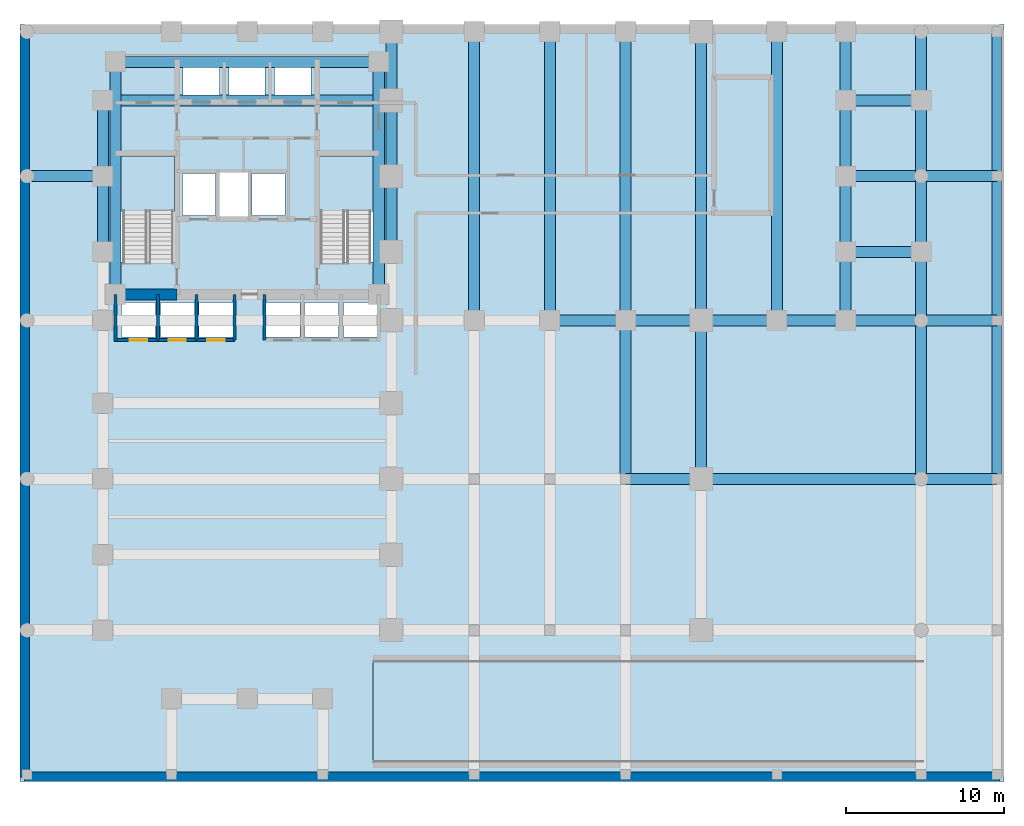
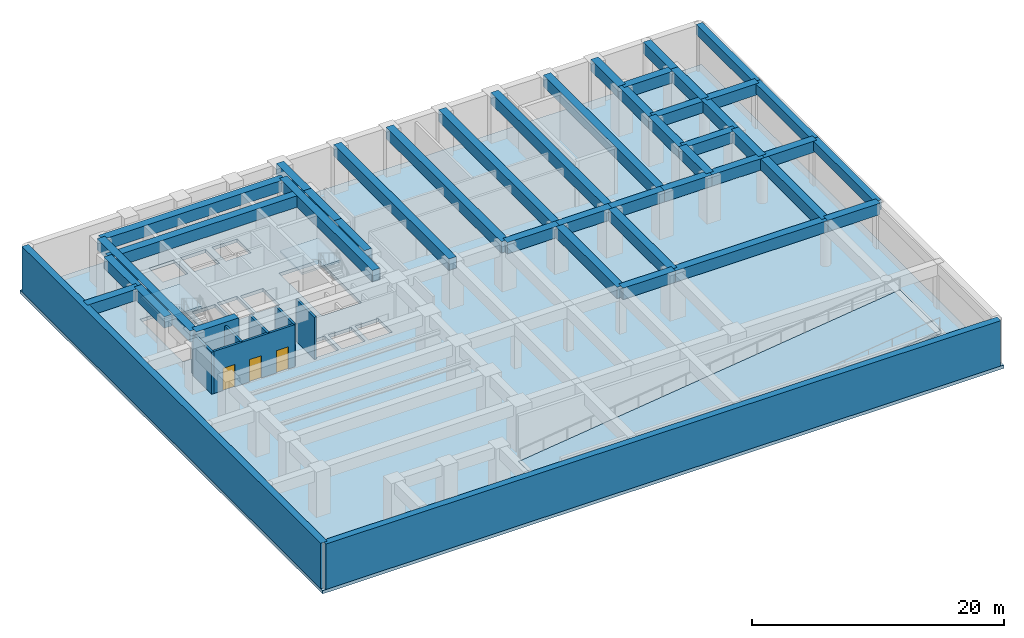
# One storey, part 2 of 6: 42 beams, 9 walls, 4 slabs, 3 doors, 3 openings, 2 elements without a shape of their own.
"""IFC4 building model written with IfcOpenShell, lengths in metres."""

from ifc_helpers import new_model, si_unit, direction, frame, frame_2d, origin, origin_2d, place, context, subcontext, project, spatial, polyline, rectangle, outline, extrude, material, layer, layer_set, material_profile, profile_set, type_object, element, fill, aggregate, save


model = new_model("IFC4")

# Units and contexts
model_context = context("Model", 3, precision=1e-05, world=origin(), true_north=direction((0.0, 1.0)))
body_context = subcontext(model_context, "Body", "Model", "MODEL_VIEW")
ifc_project = project(units=[si_unit("LENGTHUNIT", "METRE"), si_unit("AREAUNIT", "SQUARE_METRE"), si_unit("VOLUMEUNIT", "CUBIC_METRE"), si_unit("PLANEANGLEUNIT", "RADIAN"), si_unit("MASSUNIT", "GRAM", prefix="KILO")], contexts=[model_context])

# Site, building, storey
site_placement = place(None, origin())
site = spatial("IfcSite", under=ifc_project, at=site_placement, CompositionType="ELEMENT")
building_placement = place(site_placement, origin())
building = spatial("IfcBuilding", under=site, at=building_placement, Name="Orvandelia Arch Residences", CompositionType="ELEMENT")
storey_placement = place(building_placement, frame((0.0, 0.0, -8.800048828125)))
storey = spatial("IfcBuildingStorey", under=building, at=storey_placement, Name="B2", CompositionType="ELEMENT", Elevation=-8.800048828125)

# Beams
ifc_material_1 = material(Name="Concrete C50/60", Category="concrete")
ifc_material_profile_1 = material_profile(ifc_material_1, rectangle(XDim=0.60009765625, YDim=0.949951171875, at=origin_2d()), Name="Concrete C50/60", Category="concrete")
ifc_profile_set_1 = profile_set([ifc_material_profile_1], Name="Concrete C50/60")
beam_type_1 = type_object("IfcBeamType", Name="BM-RC-600x950", PredefinedType="BEAM", material=ifc_profile_set_1)
beam_1_placement = place(storey_placement, frame((61.949951171875, 19.199951171875, 3.925048828125), z_axis=(0.0, 1.0, 0.0), x_axis=(-1.0, 0.0, 0.0)))
element("IfcBeam", 1, at=beam_1_placement, inside=storey, type_object=beam_type_1, Name="Basement Perimeter Edge Beam B2-192", PredefinedType="BEAM", context=body_context, shape_type="SweptSolid", body=[
    extrude(rectangle(XDim=0.60009765625, YDim=0.949951171875, at=origin_2d()), origin(), (0.0, 0.0, 1.0), 10.050048828125),
])
beam_2_placement = place(storey_placement, frame((61.949951171875, 29.25, 3.925048828125), z_axis=(0.0, 1.0, 0.0), x_axis=(-1.0, 0.0, 0.0)))
element("IfcBeam", 2, at=beam_2_placement, inside=storey, type_object=beam_type_1, Name="Basement Perimeter Edge Beam B2-292", PredefinedType="BEAM", context=body_context, shape_type="SweptSolid", body=[
    extrude(rectangle(XDim=0.60009765625, YDim=0.949951171875, at=origin_2d()), origin(), (0.0, 0.0, 1.0), 9.14990234375),
])
beam_3_placement = place(storey_placement, frame((61.949951171875, 38.39990234375, 3.925048828125), z_axis=(0.0, 1.0, 0.0), x_axis=(-1.0, 0.0, 0.0)))
element("IfcBeam", 3, at=beam_3_placement, inside=storey, type_object=beam_type_1, Name="Basement Perimeter Edge Beam B2-384", PredefinedType="BEAM", context=body_context, shape_type="SweptSolid", body=[
    extrude(rectangle(XDim=0.60009765625, YDim=0.949951171875, at=origin_2d()), origin(), (0.0, 0.0, 1.0), 9.150146484375),
])
ifc_material_2 = material(Name="Concrete C60/75", Category="concrete")
ifc_material_profile_2 = material_profile(ifc_material_2, rectangle(XDim=0.699951171875, YDim=1.10009765625, at=origin_2d()), Name="Concrete C60/75", Category="concrete")
ifc_profile_set_2 = profile_set([ifc_material_profile_2], Name="Concrete C60/75")
beam_type_2 = type_object("IfcBeamType", Name="BM-RC-700x1100", PredefinedType="BEAM", material=ifc_profile_set_2)
beam_4_placement = place(storey_placement, frame((5.25, 33.60009765625, 3.85009765625), z_axis=(0.0, 1.0, 0.0), x_axis=(-1.0, 0.0, 0.0)))
element("IfcBeam", 4, at=beam_4_placement, inside=storey, type_object=beam_type_2, Name="Structural Frame Beam B2-NS-006", PredefinedType="BEAM", context=body_context, shape_type="SweptSolid", body=[
    extrude(rectangle(XDim=0.699951171875, YDim=1.10009765625, at=origin_2d()), origin(), (0.0, 0.0, 1.0), 4.7998046875),
])
beam_5_placement = place(storey_placement, frame((5.25, 38.39990234375, 3.85009765625), z_axis=(0.0, 1.0, 0.0), x_axis=(-1.0, 0.0, 0.0)))
element("IfcBeam", 5, at=beam_5_placement, inside=storey, type_object=beam_type_2, Name="Structural Frame Beam B2-NS-007", PredefinedType="BEAM", context=body_context, shape_type="SweptSolid", body=[
    extrude(rectangle(XDim=0.699951171875, YDim=1.10009765625, at=origin_2d()), origin(), (0.0, 0.0, 1.0), 4.800048828125),
])
for number, where, z_axis, x_axis, name in (
    (6, (6.050048828125, 30.89990234375, 3.85009765625), (0.0, 1.0, 0.0), (-1.0, 0.0, 0.0), "Structural Frame Beam B2-NS-008"),
    (7, (22.75, 30.89990234375, 3.85009765625), (0.0, 1.0, 0.0), (-1.0, 0.0, 0.0), "Structural Frame Beam B2-NS-011"),
):
    element("IfcBeam", number, at=place(storey_placement, frame(where, z_axis=z_axis, x_axis=x_axis)), inside=storey, type_object=beam_type_2, Name=name, PredefinedType="BEAM", context=body_context, shape_type="SweptSolid", body=[
        extrude(rectangle(XDim=0.699951171875, YDim=1.10009765625, at=origin_2d()), origin(), (0.0, 0.0, 1.0), 14.75),
    ])
beam_6_placement = place(storey_placement, frame((23.550048828125, 33.60009765625, 3.85009765625), z_axis=(0.0, 1.0, 0.0), x_axis=(-1.0, 0.0, 0.0)))
element("IfcBeam", 8, at=beam_6_placement, inside=storey, type_object=beam_type_2, Name="Structural Frame Beam B2-NS-017", PredefinedType="BEAM", context=body_context, shape_type="SweptSolid", body=[
    extrude(rectangle(XDim=0.699951171875, YDim=1.10009765625, at=origin_2d()), origin(), (0.0, 0.0, 1.0), 4.7998046875),
])
beam_7_placement = place(storey_placement, frame((23.550048828125, 38.39990234375, 3.85009765625), z_axis=(0.0, 1.0, 0.0), x_axis=(-1.0, 0.0, 0.0)))
element("IfcBeam", 9, at=beam_7_placement, inside=storey, type_object=beam_type_2, Name="Structural Frame Beam B2-NS-018", PredefinedType="BEAM", context=body_context, shape_type="SweptSolid", body=[
    extrude(rectangle(XDim=0.699951171875, YDim=1.10009765625, at=origin_2d()), origin(), (0.0, 0.0, 1.0), 4.800048828125),
])
beam_8_placement = place(storey_placement, frame((23.550048828125, 43.199951171875, 3.85009765625), z_axis=(0.0, 1.0, 0.0), x_axis=(-1.0, 0.0, 0.0)))
element("IfcBeam", 10, at=beam_8_placement, inside=storey, type_object=beam_type_2, Name="Structural Frame Beam B2-NS-019", PredefinedType="BEAM", context=body_context, shape_type="SweptSolid", body=[
    extrude(rectangle(XDim=0.699951171875, YDim=1.10009765625, at=origin_2d()), origin(), (0.0, 0.0, 1.0), 4.35009765625),
])
for number, where, z_axis, x_axis, name in (
    (11, (28.800048828125, 29.25, 3.85009765625), (0.0, 1.0, 0.0), (-1.0, 0.0, 0.0), "Structural Frame Beam B2-NS-023"),
    (12, (33.60009765625, 29.25, 3.85009765625), (0.0, 1.0, 0.0), (-1.0, 0.0, 0.0), "Structural Frame Beam B2-NS-026"),
):
    element("IfcBeam", number, at=place(storey_placement, frame(where, z_axis=z_axis, x_axis=x_axis)), inside=storey, type_object=beam_type_2, Name=name, PredefinedType="BEAM", context=body_context, shape_type="SweptSolid", body=[
        extrude(rectangle(XDim=0.699951171875, YDim=1.10009765625, at=origin_2d()), origin(), (0.0, 0.0, 1.0), 18.300048828125),
    ])
beam_9_placement = place(storey_placement, frame((38.39990234375, 19.199951171875, 3.85009765625), z_axis=(0.0, 1.0, 0.0), x_axis=(-1.0, 0.0, 0.0)))
element("IfcBeam", 13, at=beam_9_placement, inside=storey, type_object=beam_type_2, Name="Structural Frame Beam B2-NS-029", PredefinedType="BEAM", context=body_context, shape_type="SweptSolid", body=[
    extrude(rectangle(XDim=0.699951171875, YDim=1.10009765625, at=origin_2d()), origin(), (0.0, 0.0, 1.0), 10.050048828125),
])
beam_10_placement = place(storey_placement, frame((38.39990234375, 29.25, 3.85009765625), z_axis=(0.0, 1.0, 0.0), x_axis=(-1.0, 0.0, 0.0)))
element("IfcBeam", 14, at=beam_10_placement, inside=storey, type_object=beam_type_2, Name="Structural Frame Beam B2-NS-030", PredefinedType="BEAM", context=body_context, shape_type="SweptSolid", body=[
    extrude(rectangle(XDim=0.699951171875, YDim=1.10009765625, at=origin_2d()), origin(), (0.0, 0.0, 1.0), 18.300048828125),
])
beam_11_placement = place(storey_placement, frame((43.199951171875, 19.199951171875, 3.85009765625), z_axis=(0.0, 1.0, 0.0), x_axis=(-1.0, 0.0, 0.0)))
element("IfcBeam", 15, at=beam_11_placement, inside=storey, type_object=beam_type_2, Name="Structural Frame Beam B2-NS-032", PredefinedType="BEAM", context=body_context, shape_type="SweptSolid", body=[
    extrude(rectangle(XDim=0.699951171875, YDim=1.10009765625, at=origin_2d()), origin(), (0.0, 0.0, 1.0), 10.050048828125),
])
for number, where, z_axis, x_axis, name in (
    (16, (43.199951171875, 29.25, 3.85009765625), (0.0, 1.0, 0.0), (-1.0, 0.0, 0.0), "Structural Frame Beam B2-NS-033"),
    (17, (48.0, 29.25, 3.85009765625), (0.0, 1.0, 0.0), (-1.0, 0.0, 0.0), "Structural Frame Beam B2-NS-034"),
):
    element("IfcBeam", number, at=place(storey_placement, frame(where, z_axis=z_axis, x_axis=x_axis)), inside=storey, type_object=beam_type_2, Name=name, PredefinedType="BEAM", context=body_context, shape_type="SweptSolid", body=[
        extrude(rectangle(XDim=0.699951171875, YDim=1.10009765625, at=origin_2d()), origin(), (0.0, 0.0, 1.0), 18.300048828125),
    ])
beam_12_placement = place(storey_placement, frame((52.35009765625, 29.25, 3.85009765625), z_axis=(0.0, 1.0, 0.0), x_axis=(-1.0, 0.0, 0.0)))
element("IfcBeam", 18, at=beam_12_placement, inside=storey, type_object=beam_type_2, Name="Structural Frame Beam B2-NS-035", PredefinedType="BEAM", context=body_context, shape_type="SweptSolid", body=[
    extrude(rectangle(XDim=0.699951171875, YDim=1.10009765625, at=origin_2d()), origin(), (0.0, 0.0, 1.0), 4.35009765625),
])
beam_13_placement = place(storey_placement, frame((52.35009765625, 33.60009765625, 3.85009765625), z_axis=(0.0, 1.0, 0.0), x_axis=(-1.0, 0.0, 0.0)))
element("IfcBeam", 19, at=beam_13_placement, inside=storey, type_object=beam_type_2, Name="Structural Frame Beam B2-NS-036", PredefinedType="BEAM", context=body_context, shape_type="SweptSolid", body=[
    extrude(rectangle(XDim=0.699951171875, YDim=1.10009765625, at=origin_2d()), origin(), (0.0, 0.0, 1.0), 4.7998046875),
])
beam_14_placement = place(storey_placement, frame((52.35009765625, 38.39990234375, 3.85009765625), z_axis=(0.0, 1.0, 0.0), x_axis=(-1.0, 0.0, 0.0)))
element("IfcBeam", 20, at=beam_14_placement, inside=storey, type_object=beam_type_2, Name="Structural Frame Beam B2-NS-037", PredefinedType="BEAM", context=body_context, shape_type="SweptSolid", body=[
    extrude(rectangle(XDim=0.699951171875, YDim=1.10009765625, at=origin_2d()), origin(), (0.0, 0.0, 1.0), 4.800048828125),
])
beam_15_placement = place(storey_placement, frame((52.35009765625, 43.199951171875, 3.85009765625), z_axis=(0.0, 1.0, 0.0), x_axis=(-1.0, 0.0, 0.0)))
element("IfcBeam", 21, at=beam_15_placement, inside=storey, type_object=beam_type_2, Name="Structural Frame Beam B2-NS-038", PredefinedType="BEAM", context=body_context, shape_type="SweptSolid", body=[
    extrude(rectangle(XDim=0.699951171875, YDim=1.10009765625, at=origin_2d()), origin(), (0.0, 0.0, 1.0), 4.35009765625),
])
beam_16_placement = place(storey_placement, frame((57.14990234375, 19.199951171875, 3.85009765625), z_axis=(0.0, 1.0, 0.0), x_axis=(-1.0, 0.0, 0.0)))
element("IfcBeam", 22, at=beam_16_placement, inside=storey, type_object=beam_type_2, Name="Structural Frame Beam B2-NS-041", PredefinedType="BEAM", context=body_context, shape_type="SweptSolid", body=[
    extrude(rectangle(XDim=0.699951171875, YDim=1.10009765625, at=origin_2d()), origin(), (0.0, 0.0, 1.0), 10.050048828125),
])
beam_17_placement = place(storey_placement, frame((57.14990234375, 29.25, 3.85009765625), z_axis=(0.0, 1.0, 0.0), x_axis=(-1.0, 0.0, 0.0)))
element("IfcBeam", 23, at=beam_17_placement, inside=storey, type_object=beam_type_2, Name="Structural Frame Beam B2-NS-042", PredefinedType="BEAM", context=body_context, shape_type="SweptSolid", body=[
    extrude(rectangle(XDim=0.699951171875, YDim=1.10009765625, at=origin_2d()), origin(), (0.0, 0.0, 1.0), 4.35009765625),
])
beam_18_placement = place(storey_placement, frame((57.14990234375, 33.60009765625, 3.85009765625), z_axis=(0.0, 1.0, 0.0), x_axis=(-1.0, 0.0, 0.0)))
element("IfcBeam", 24, at=beam_18_placement, inside=storey, type_object=beam_type_2, Name="Structural Frame Beam B2-NS-043", PredefinedType="BEAM", context=body_context, shape_type="SweptSolid", body=[
    extrude(rectangle(XDim=0.699951171875, YDim=1.10009765625, at=origin_2d()), origin(), (0.0, 0.0, 1.0), 4.7998046875),
])
beam_19_placement = place(storey_placement, frame((57.14990234375, 38.39990234375, 3.85009765625), z_axis=(0.0, 1.0, 0.0), x_axis=(-1.0, 0.0, 0.0)))
element("IfcBeam", 25, at=beam_19_placement, inside=storey, type_object=beam_type_2, Name="Structural Frame Beam B2-NS-044", PredefinedType="BEAM", context=body_context, shape_type="SweptSolid", body=[
    extrude(rectangle(XDim=0.699951171875, YDim=1.10009765625, at=origin_2d()), origin(), (0.0, 0.0, 1.0), 4.800048828125),
])
beam_20_placement = place(storey_placement, frame((57.14990234375, 43.199951171875, 3.85009765625), z_axis=(0.0, 1.0, 0.0), x_axis=(-1.0, 0.0, 0.0)))
element("IfcBeam", 26, at=beam_20_placement, inside=storey, type_object=beam_type_2, Name="Structural Frame Beam B2-NS-045", PredefinedType="BEAM", context=body_context, shape_type="SweptSolid", body=[
    extrude(rectangle(XDim=0.699951171875, YDim=1.10009765625, at=origin_2d()), origin(), (0.0, 0.0, 1.0), 4.35009765625),
])
beam_21_placement = place(storey_placement, frame((38.39990234375, 19.199951171875, 3.85009765625), z_axis=(1.0, 0.0, 0.0), x_axis=(0.0, 1.0, 0.0)))
element("IfcBeam", 27, at=beam_21_placement, inside=storey, type_object=beam_type_2, Name="Structural Frame Girder B2-EW-062", PredefinedType="BEAM", context=body_context, shape_type="SweptSolid", body=[
    extrude(rectangle(XDim=0.699951171875, YDim=1.10009765625, at=origin_2d()), origin(), (0.0, 0.0, 1.0), 4.800048828125),
])
beam_22_placement = place(storey_placement, frame((43.199951171875, 19.199951171875, 3.85009765625), z_axis=(1.0, 0.0, 0.0), x_axis=(0.0, 1.0, 0.0)))
element("IfcBeam", 28, at=beam_22_placement, inside=storey, type_object=beam_type_2, Name="Structural Frame Girder B2-EW-063", PredefinedType="BEAM", context=body_context, shape_type="SweptSolid", body=[
    extrude(rectangle(XDim=0.699951171875, YDim=1.10009765625, at=origin_2d()), origin(), (0.0, 0.0, 1.0), 13.949951171875),
])
beam_23_placement = place(storey_placement, frame((57.14990234375, 19.199951171875, 3.85009765625), z_axis=(1.0, 0.0, 0.0), x_axis=(0.0, 1.0, 0.0)))
element("IfcBeam", 29, at=beam_23_placement, inside=storey, type_object=beam_type_2, Name="Structural Frame Girder B2-EW-064", PredefinedType="BEAM", context=body_context, shape_type="SweptSolid", body=[
    extrude(rectangle(XDim=0.699951171875, YDim=1.10009765625, at=origin_2d()), origin(), (0.0, 0.0, 1.0), 4.800048828125),
])
beam_24_placement = place(storey_placement, frame((33.60009765625, 29.25, 3.85009765625), z_axis=(1.0, 0.0, 0.0), x_axis=(0.0, 1.0, 0.0)))
element("IfcBeam", 30, at=beam_24_placement, inside=storey, type_object=beam_type_2, Name="Structural Frame Girder B2-EW-070", PredefinedType="BEAM", context=body_context, shape_type="SweptSolid", body=[
    extrude(rectangle(XDim=0.699951171875, YDim=1.10009765625, at=origin_2d()), origin(), (0.0, 0.0, 1.0), 4.7998046875),
])
for number, where, z_axis, x_axis, name in (
    (31, (38.39990234375, 29.25, 3.85009765625), (1.0, 0.0, 0.0), (0.0, 1.0, 0.0), "Structural Frame Girder B2-EW-071"),
    (32, (43.199951171875, 29.25, 3.85009765625), (1.0, 0.0, 0.0), (0.0, 1.0, 0.0), "Structural Frame Girder B2-EW-072"),
):
    element("IfcBeam", number, at=place(storey_placement, frame(where, z_axis=z_axis, x_axis=x_axis)), inside=storey, type_object=beam_type_2, Name=name, PredefinedType="BEAM", context=body_context, shape_type="SweptSolid", body=[
        extrude(rectangle(XDim=0.699951171875, YDim=1.10009765625, at=origin_2d()), origin(), (0.0, 0.0, 1.0), 4.800048828125),
    ])
beam_25_placement = place(storey_placement, frame((48.0, 29.25, 3.85009765625), z_axis=(1.0, 0.0, 0.0), x_axis=(0.0, 1.0, 0.0)))
element("IfcBeam", 33, at=beam_25_placement, inside=storey, type_object=beam_type_2, Name="Structural Frame Girder B2-EW-073", PredefinedType="BEAM", context=body_context, shape_type="SweptSolid", body=[
    extrude(rectangle(XDim=0.699951171875, YDim=1.10009765625, at=origin_2d()), origin(), (0.0, 0.0, 1.0), 4.35009765625),
])
beam_26_placement = place(storey_placement, frame((52.35009765625, 29.25, 3.85009765625), z_axis=(1.0, 0.0, 0.0), x_axis=(0.0, 1.0, 0.0)))
element("IfcBeam", 34, at=beam_26_placement, inside=storey, type_object=beam_type_2, Name="Structural Frame Girder B2-EW-074", PredefinedType="BEAM", context=body_context, shape_type="SweptSolid", body=[
    extrude(rectangle(XDim=0.699951171875, YDim=1.10009765625, at=origin_2d()), origin(), (0.0, 0.0, 1.0), 4.7998046875),
])
beam_27_placement = place(storey_placement, frame((57.14990234375, 29.25, 3.85009765625), z_axis=(1.0, 0.0, 0.0), x_axis=(0.0, 1.0, 0.0)))
element("IfcBeam", 35, at=beam_27_placement, inside=storey, type_object=beam_type_2, Name="Structural Frame Girder B2-EW-075", PredefinedType="BEAM", context=body_context, shape_type="SweptSolid", body=[
    extrude(rectangle(XDim=0.699951171875, YDim=1.10009765625, at=origin_2d()), origin(), (0.0, 0.0, 1.0), 4.800048828125),
])
beam_28_placement = place(storey_placement, frame((52.35009765625, 33.60009765625, 3.85009765625), z_axis=(1.0, 0.0, 0.0), x_axis=(0.0, 1.0, 0.0)))
element("IfcBeam", 36, at=beam_28_placement, inside=storey, type_object=beam_type_2, Name="Structural Frame Girder B2-EW-078", PredefinedType="BEAM", context=body_context, shape_type="SweptSolid", body=[
    extrude(rectangle(XDim=0.699951171875, YDim=1.10009765625, at=origin_2d()), origin(), (0.0, 0.0, 1.0), 4.7998046875),
])
beam_29_placement = place(storey_placement, frame((0.449951171875, 38.39990234375, 3.85009765625), z_axis=(1.0, 0.0, 0.0), x_axis=(0.0, 1.0, 0.0)))
element("IfcBeam", 37, at=beam_29_placement, inside=storey, type_object=beam_type_2, Name="Structural Frame Girder B2-EW-079", PredefinedType="BEAM", context=body_context, shape_type="SweptSolid", body=[
    extrude(rectangle(XDim=0.699951171875, YDim=1.10009765625, at=origin_2d()), origin(), (0.0, 0.0, 1.0), 4.800048828125),
])
beam_30_placement = place(storey_placement, frame((52.35009765625, 38.39990234375, 3.85009765625), z_axis=(1.0, 0.0, 0.0), x_axis=(0.0, 1.0, 0.0)))
element("IfcBeam", 38, at=beam_30_placement, inside=storey, type_object=beam_type_2, Name="Structural Frame Girder B2-EW-081", PredefinedType="BEAM", context=body_context, shape_type="SweptSolid", body=[
    extrude(rectangle(XDim=0.699951171875, YDim=1.10009765625, at=origin_2d()), origin(), (0.0, 0.0, 1.0), 4.7998046875),
])
beam_31_placement = place(storey_placement, frame((57.14990234375, 38.39990234375, 3.85009765625), z_axis=(1.0, 0.0, 0.0), x_axis=(0.0, 1.0, 0.0)))
element("IfcBeam", 39, at=beam_31_placement, inside=storey, type_object=beam_type_2, Name="Structural Frame Girder B2-EW-082", PredefinedType="BEAM", context=body_context, shape_type="SweptSolid", body=[
    extrude(rectangle(XDim=0.699951171875, YDim=1.10009765625, at=origin_2d()), origin(), (0.0, 0.0, 1.0), 4.800048828125),
])
beam_32_placement = place(storey_placement, frame((5.25, 43.199951171875, 3.85009765625), z_axis=(1.0, 0.0, 0.0), x_axis=(0.0, 1.0, 0.0)))
element("IfcBeam", 40, at=beam_32_placement, inside=storey, type_object=beam_type_2, Name="Structural Frame Girder B2-EW-083", PredefinedType="BEAM", context=body_context, shape_type="SweptSolid", body=[
    extrude(rectangle(XDim=0.699951171875, YDim=1.10009765625, at=origin_2d()), origin(), (0.0, 0.0, 1.0), 18.300048828125),
])
beam_33_placement = place(storey_placement, frame((52.35009765625, 43.199951171875, 3.85009765625), z_axis=(1.0, 0.0, 0.0), x_axis=(0.0, 1.0, 0.0)))
element("IfcBeam", 41, at=beam_33_placement, inside=storey, type_object=beam_type_2, Name="Structural Frame Girder B2-EW-084", PredefinedType="BEAM", context=body_context, shape_type="SweptSolid", body=[
    extrude(rectangle(XDim=0.699951171875, YDim=1.10009765625, at=origin_2d()), origin(), (0.0, 0.0, 1.0), 4.7998046875),
])
beam_34_placement = place(storey_placement, frame((6.050048828125, 45.64990234375, 3.85009765625), z_axis=(1.0, 0.0, 0.0), x_axis=(0.0, 1.0, 0.0)))
element("IfcBeam", 42, at=beam_34_placement, inside=storey, type_object=beam_type_2, Name="Structural Frame Girder B2-EW-085", PredefinedType="BEAM", context=body_context, shape_type="SweptSolid", body=[
    extrude(rectangle(XDim=0.699951171875, YDim=1.10009765625, at=origin_2d()), origin(), (0.0, 0.0, 1.0), 16.699951171875),
])

# Slab
ifc_material_3 = material(Name="Concrete C40/50", Category="concrete")
ifc_layer_1 = layer(ifc_material_3, 0.320068359375, Name="Concrete C40/50", Category="concrete")
ifc_layer_set_1 = layer_set([ifc_layer_1], Name="Concrete C40/50")
slab_type_1 = type_object("IfcSlabType", Name="SLB-BSM-320", PredefinedType="FLOOR", material=ifc_layer_set_1)
slab_1_placement = place(storey_placement, frame((0.0, 0.0, -0.320068359375)))
element("IfcSlab", 43, at=slab_1_placement, inside=storey, type_object=slab_type_1, Name="Structural Floor Slab B2-1", PredefinedType="FLOOR", context=body_context, shape_type="SweptSolid", body=[
    extrude(outline(polyline([(0.0, 0.0), (62.39990234375, 0.0), (62.39990234375, 48.0), (0.0, 48.0), (0.0, 0.0)]), holes=[polyline([(6.219970703125, 32.949951171875), (9.840087890625, 32.949951171875), (9.840087890625, 39.72998046875), (6.219970703125, 39.72998046875), (6.219970703125, 32.949951171875)]), polyline([(18.9599609375, 32.949951171875), (22.580078125, 32.949951171875), (22.580078125, 39.72998046875), (18.9599609375, 39.72998046875), (18.9599609375, 32.949951171875)]), polyline([(12.639892578125, 35.81005859375), (14.4599609375, 35.81005859375), (14.4599609375, 38.639892578125), (12.639892578125, 38.639892578125), (12.639892578125, 35.81005859375)]), polyline([(10.300048828125, 35.89990234375), (12.39990234375, 35.89990234375), (12.39990234375, 38.550048828125), (10.300048828125, 38.550048828125), (10.300048828125, 35.89990234375)]), polyline([(14.699951171875, 35.89990234375), (16.800048828125, 35.89990234375), (16.800048828125, 38.550048828125), (14.699951171875, 38.550048828125), (14.699951171875, 35.89990234375)]), polyline([(10.35009765625, 43.300048828125), (12.64990234375, 43.300048828125), (12.64990234375, 45.5), (10.35009765625, 45.5), (10.35009765625, 43.300048828125)]), polyline([(13.25, 43.300048828125), (15.550048828125, 43.300048828125), (15.550048828125, 45.5), (13.25, 45.5), (13.25, 43.300048828125)]), polyline([(16.14990234375, 43.300048828125), (18.449951171875, 43.300048828125), (18.449951171875, 45.5), (16.14990234375, 45.5), (16.14990234375, 43.300048828125)]), polyline([(6.449951171875, 28.199951171875), (8.60009765625, 28.199951171875), (8.60009765625, 30.39990234375), (6.449951171875, 30.39990234375), (6.449951171875, 28.199951171875)]), polyline([(8.89990234375, 28.199951171875), (11.050048828125, 28.199951171875), (11.050048828125, 30.39990234375), (8.89990234375, 30.39990234375), (8.89990234375, 28.199951171875)]), polyline([(11.35009765625, 28.199951171875), (13.5, 28.199951171875), (13.5, 30.39990234375), (11.35009765625, 30.39990234375), (11.35009765625, 28.199951171875)]), polyline([(15.60009765625, 28.199951171875), (17.75, 28.199951171875), (17.75, 30.39990234375), (15.60009765625, 30.39990234375), (15.60009765625, 28.199951171875)]), polyline([(18.050048828125, 28.199951171875), (20.199951171875, 28.199951171875), (20.199951171875, 30.39990234375), (18.050048828125, 30.39990234375), (18.050048828125, 28.199951171875)]), polyline([(20.5, 28.199951171875), (22.64990234375, 28.199951171875), (22.64990234375, 30.39990234375), (20.5, 30.39990234375), (20.5, 28.199951171875)]), polyline([(22.3798828125, 1.179931640625), (57.320068359375, 1.179931640625), (57.320068359375, 7.719970703125), (22.3798828125, 7.719970703125), (22.3798828125, 1.179931640625)])]), origin(), (0.0, 0.0, 1.0), 0.320068359375),
])

# Stair, slab
stair_type = type_object("IfcStairType", Name="STAIR-RC-DOGLEG", PredefinedType="HALF_TURN_STAIR", material=ifc_material_3)
stair_1_placement = place(storey_placement, origin())
stair_1 = element("IfcStair", 44, at=stair_1_placement, inside=storey, type_object=stair_type, Name="B2 Protected Exit Stair ST-1", PredefinedType="HALF_TURN_STAIR")
ifc_layer_2 = layer(ifc_material_3, 0.219970703125, Name="Concrete C40/50", Category="concrete")
ifc_layer_set_2 = layer_set([ifc_layer_2], Name="Concrete C40/50")
slab_type_2 = type_object("IfcSlabType", Name="SLB-LANDING-220", PredefinedType="LANDING", material=ifc_layer_set_2)
slab_2_placement = place(storey_placement, frame((0.0, 0.0, 2.0)))
slab_2 = element("IfcSlab", 45, at=slab_2_placement, type_object=slab_type_2, Name="ST-1 landing 1", PredefinedType="LANDING", context=body_context, shape_type="SweptSolid", body=[
    extrude(outline(polyline([(9.800048828125, 36.14990234375), (9.800048828125, 39.68994140625), (6.260009765625, 39.68994140625), (6.260009765625, 36.14990234375), (9.800048828125, 36.14990234375)])), origin(), (0.0, 0.0, 1.0), 0.199951171875),
])
aggregate(stair_1, [slab_2])

stair_2_placement = place(storey_placement, origin())
stair_2 = element("IfcStair", 46, at=stair_2_placement, inside=storey, type_object=stair_type, Name="B2 Protected Exit Stair ST-2", PredefinedType="HALF_TURN_STAIR")
slab_3_placement = place(storey_placement, frame((0.0, 0.0, 2.0)))
slab_3 = element("IfcSlab", 47, at=slab_3_placement, type_object=slab_type_2, Name="ST-2 landing 1", PredefinedType="LANDING", context=body_context, shape_type="SweptSolid", body=[
    extrude(outline(polyline([(22.5400390625, 36.14990234375), (22.5400390625, 39.68994140625), (19.0, 39.68994140625), (19.0, 36.14990234375), (22.5400390625, 36.14990234375)])), origin(), (0.0, 0.0, 1.0), 0.199951171875),
])
aggregate(stair_2, [slab_3])

# Slab
ifc_layer_3 = layer(ifc_material_3, 0.300048828125, Name="Concrete C40/50", Category="concrete")
ifc_layer_set_3 = layer_set([ifc_layer_3], Name="Concrete C40/50")
slab_type_3 = type_object("IfcSlabType", Name="SLB-RAMP-300", PredefinedType="USERDEFINED", material=ifc_layer_set_3)
slab_4_placement = place(storey_placement, frame((22.39990234375, 1.199951171875, 0.0), z_axis=(-0.125087906179, 0.0, 0.992145662555), x_axis=(0.992145662555, 0.0, 0.125087906179)))
element("IfcSlab", 48, at=slab_4_placement, inside=storey, type_object=slab_type_3, Name="Car Park Vehicle Ramp Flight B2", ObjectType="RAMP", PredefinedType="USERDEFINED", context=body_context, shape_type="SweptSolid", body=[
    extrude(outline(polyline([(0.0, 0.0), (35.176434067636684, 0.0), (35.176434067636684, 6.5), (0.0, 6.5), (0.0, 0.0)])), origin(), (0.0, 0.0, -1.0), 0.300048828125),
])

# Walls
ifc_material_4 = material(Name="Concrete C80/95", Category="concrete")
ifc_layer_4 = layer(ifc_material_4, 0.699951171875, Name="Concrete C80/95", Category="concrete")
ifc_layer_set_4 = layer_set([ifc_layer_4], Name="Concrete C80/95")
wall_type_1 = type_object("IfcWallType", Name="WL-CORE-700", PredefinedType="SHEAR", material=ifc_layer_set_4)
wall_1_placement = place(storey_placement, frame((6.050048828125, 30.89990234375, 0.0), z_axis=(0.0, 0.0, 1.0), x_axis=(1.0, 0.0, 0.0)))
element("IfcWall", 49, at=wall_1_placement, inside=storey, type_object=wall_type_1, Name="Core Shear Wall B2-SW", PredefinedType="SHEAR", context=body_context, shape_type="SweptSolid", body=[
    extrude(rectangle(XDim=3.909912109375, YDim=0.699951171875, at=frame_2d((1.955078125, 0.0))), origin(), (0.0, 0.0, 1.0), 4.400146484375),
])
ifc_layer_5 = layer(ifc_material_1, 0.60009765625, Name="Concrete C50/60", Category="concrete")
ifc_layer_set_5 = layer_set([ifc_layer_5], Name="Concrete C50/60")
wall_type_2 = type_object("IfcWallType", Name="WL-RET-600", PredefinedType="USERDEFINED", material=ifc_layer_set_5)
wall_2_placement = place(storey_placement, frame((0.300048828125, 0.300048828125, 0.0), z_axis=(0.0, 0.0, 1.0), x_axis=(1.0, 0.0, 0.0)))
element("IfcWall", 50, at=wall_2_placement, inside=storey, type_object=wall_type_2, Name="Basement Diaphragm Retaining Wall B2-S", ObjectType="RETAININGWALL", PredefinedType="USERDEFINED", context=body_context, shape_type="SweptSolid", body=[
    extrude(rectangle(XDim=61.800048828125, YDim=0.60009765625, at=frame_2d((30.89990234375, 0.0))), origin(), (0.0, 0.0, 1.0), 4.400146484375),
])
wall_3_placement = place(storey_placement, frame((0.300048828125, 47.699951171875, 0.0), z_axis=(0.0, 0.0, 1.0), x_axis=(0.0, -1.0, 0.0)))
element("IfcWall", 51, at=wall_3_placement, inside=storey, type_object=wall_type_2, Name="Basement Diaphragm Retaining Wall B2-W", ObjectType="RETAININGWALL", PredefinedType="USERDEFINED", context=body_context, shape_type="SweptSolid", body=[
    extrude(rectangle(XDim=47.39990234375, YDim=0.60009765625, at=frame_2d((23.699951171875, 0.0))), origin(), (0.0, 0.0, 1.0), 4.400146484375),
])

# Wall, openings, doors
ifc_material_5 = material(Name="Fire-Rated Shaft Enclosure Wall")
ifc_layer_6 = layer(ifc_material_5, 0.199951171875, Name="Fire-Rated Shaft Enclosure Wall")
ifc_layer_set_6 = layer_set([ifc_layer_6], Name="Fire-Rated Shaft Enclosure Wall")
wall_type_3 = type_object("IfcWallType", Name="WL-SHAFT-200", PredefinedType="POLYGONAL", material=ifc_layer_set_6)
wall_4_placement = place(storey_placement, frame((6.050048828125, 28.0, 0.0), z_axis=(0.0, 0.0, 1.0), x_axis=(1.0, 0.0, 0.0)))
wall_4 = element("IfcWall", 52, at=wall_4_placement, inside=storey, type_object=wall_type_3, Name="Interior Partition Wall WL-B2-BNKL-S", PredefinedType="POLYGONAL", context=body_context, shape_type="SweptSolid", body=[
    extrude(rectangle(XDim=7.550048828125, YDim=0.199951171875, at=frame_2d((3.77490234375, 0.0))), origin(), (0.0, 0.0, 1.0), 4.080078125),
])
opening_1_placement = place(wall_4_placement, frame((0.925048828125, 0.0, 0.0)))
opening_1 = element("IfcOpeningElement", 53, at=opening_1_placement, cuts=wall_4, Name="Opening LD", PredefinedType="OPENING", context=body_context, shape_type="SweptSolid", body=[
    extrude(rectangle(XDim=1.10009765625, YDim=2.14990234375, at=frame_2d((0.550048828125, 1.074951171875))), frame((0.0, 0.10986328125, 0.0), z_axis=(0.0, -1.0, 0.0), x_axis=(1.0, 0.0, 0.0)), (0.0, 0.0, 1.0), 0.219970703125),
])
opening_2_placement = place(wall_4_placement, frame((3.375, 0.0, 0.0)))
opening_2 = element("IfcOpeningElement", 54, at=opening_2_placement, cuts=wall_4, Name="Opening LD", PredefinedType="OPENING", context=body_context, shape_type="SweptSolid", body=[
    extrude(rectangle(XDim=1.10009765625, YDim=2.14990234375, at=frame_2d((0.550048828125, 1.074951171875))), frame((0.0, 0.10986328125, 0.0), z_axis=(0.0, -1.0, 0.0), x_axis=(1.0, 0.0, 0.0)), (0.0, 0.0, 1.0), 0.219970703125),
])
opening_3_placement = place(wall_4_placement, frame((5.824951171875, 0.0, 0.0)))
opening_3 = element("IfcOpeningElement", 55, at=opening_3_placement, cuts=wall_4, Name="Opening LD", PredefinedType="OPENING", context=body_context, shape_type="SweptSolid", body=[
    extrude(rectangle(XDim=1.10009765625, YDim=2.14990234375, at=frame_2d((0.550048828125, 1.074951171875))), frame((0.0, 0.10986328125, 0.0), z_axis=(0.0, -1.0, 0.0), x_axis=(1.0, 0.0, 0.0)), (0.0, 0.0, 1.0), 0.219970703125),
])
ifc_material_6 = material(Name="Brushed Stainless Steel Sliding Lift Door", Category="steel")
door_type = type_object("IfcDoorType", Name="DR-LIFT-1100", OperationType="NOTDEFINED", PredefinedType="DOOR", material=ifc_material_6)
door_1_placement = place(opening_1_placement, origin())
door_1 = element("IfcDoor", 56, at=door_1_placement, inside=storey, type_object=door_type, Name="Lift Landing Door LD-PL1", OperationType="SLIDING_TO_LEFT", OverallHeight=2.14990234375, OverallWidth=1.10009765625, PredefinedType="DOOR", context=body_context, shape_type="SweptSolid", body=[
    extrude(rectangle(XDim=1.10009765625, YDim=2.14990234375, at=frame_2d((0.550048828125, 1.074951171875))), frame((0.0, 0.02490234375, 0.0), z_axis=(0.0, -1.0, 0.0), x_axis=(1.0, 0.0, 0.0)), (0.0, 0.0, 1.0), 0.050048828125),
])
fill(opening_1, door_1)
door_2_placement = place(opening_2_placement, origin())
door_2 = element("IfcDoor", 57, at=door_2_placement, inside=storey, type_object=door_type, Name="Lift Landing Door LD-PL2", OperationType="SLIDING_TO_RIGHT", OverallHeight=2.14990234375, OverallWidth=1.10009765625, PredefinedType="DOOR", context=body_context, shape_type="SweptSolid", body=[
    extrude(rectangle(XDim=1.10009765625, YDim=2.14990234375, at=frame_2d((0.550048828125, 1.074951171875))), frame((0.0, 0.02490234375, 0.0), z_axis=(0.0, -1.0, 0.0), x_axis=(1.0, 0.0, 0.0)), (0.0, 0.0, 1.0), 0.050048828125),
])
fill(opening_2, door_2)
door_3_placement = place(opening_3_placement, origin())
door_3 = element("IfcDoor", 58, at=door_3_placement, inside=storey, type_object=door_type, Name="Lift Landing Door LD-PL3", OperationType="SLIDING_TO_LEFT", OverallHeight=2.14990234375, OverallWidth=1.10009765625, PredefinedType="DOOR", context=body_context, shape_type="SweptSolid", body=[
    extrude(rectangle(XDim=1.10009765625, YDim=2.14990234375, at=frame_2d((0.550048828125, 1.074951171875))), frame((0.0, 0.02490234375, 0.0), z_axis=(0.0, -1.0, 0.0), x_axis=(1.0, 0.0, 0.0)), (0.0, 0.0, 1.0), 0.050048828125),
])
fill(opening_3, door_3)

# Walls
wall_5_placement = place(storey_placement, frame((6.050048828125, 27.89990234375, 0.0), z_axis=(0.0, 0.0, 1.0), x_axis=(0.0, 1.0, 0.0)))
element("IfcWall", 59, at=wall_5_placement, inside=storey, type_object=wall_type_3, Name="Interior Partition Wall WL-B2-BNKL-W", PredefinedType="POLYGONAL", context=body_context, shape_type="SweptSolid", body=[
    extrude(rectangle(XDim=3.0, YDim=0.199951171875, at=frame_2d((1.5, 0.0))), origin(), (0.0, 0.0, 1.0), 4.080078125),
])
for number, where, z_axis, x_axis, name in (
    (60, (13.60009765625, 28.0, 0.0), (0.0, 0.0, 1.0), (0.0, 1.0, 0.0), "Interior Partition Wall WL-B2-BNKL-E"),
    (61, (15.5, 28.0, 0.0), (0.0, 0.0, 1.0), (0.0, 1.0, 0.0), "Interior Partition Wall WL-B2-BNKM-W"),
    (62, (8.75, 28.0, 0.0), (0.0, 0.0, 1.0), (0.0, 1.0, 0.0), "Interior Partition Wall WL-B2-BNKD-875"),
    (63, (11.199951171875, 28.0, 0.0), (0.0, 0.0, 1.0), (0.0, 1.0, 0.0), "Interior Partition Wall WL-B2-BNKD-1120"),
):
    element("IfcWall", number, at=place(storey_placement, frame(where, z_axis=z_axis, x_axis=x_axis)), inside=storey, type_object=wall_type_3, Name=name, PredefinedType="POLYGONAL", context=body_context, shape_type="SweptSolid", body=[
        extrude(rectangle(XDim=2.89990234375, YDim=0.199951171875, at=frame_2d((1.449951171875, 0.0))), origin(), (0.0, 0.0, 1.0), 4.080078125),
    ])

save(model, "model.ifc")
